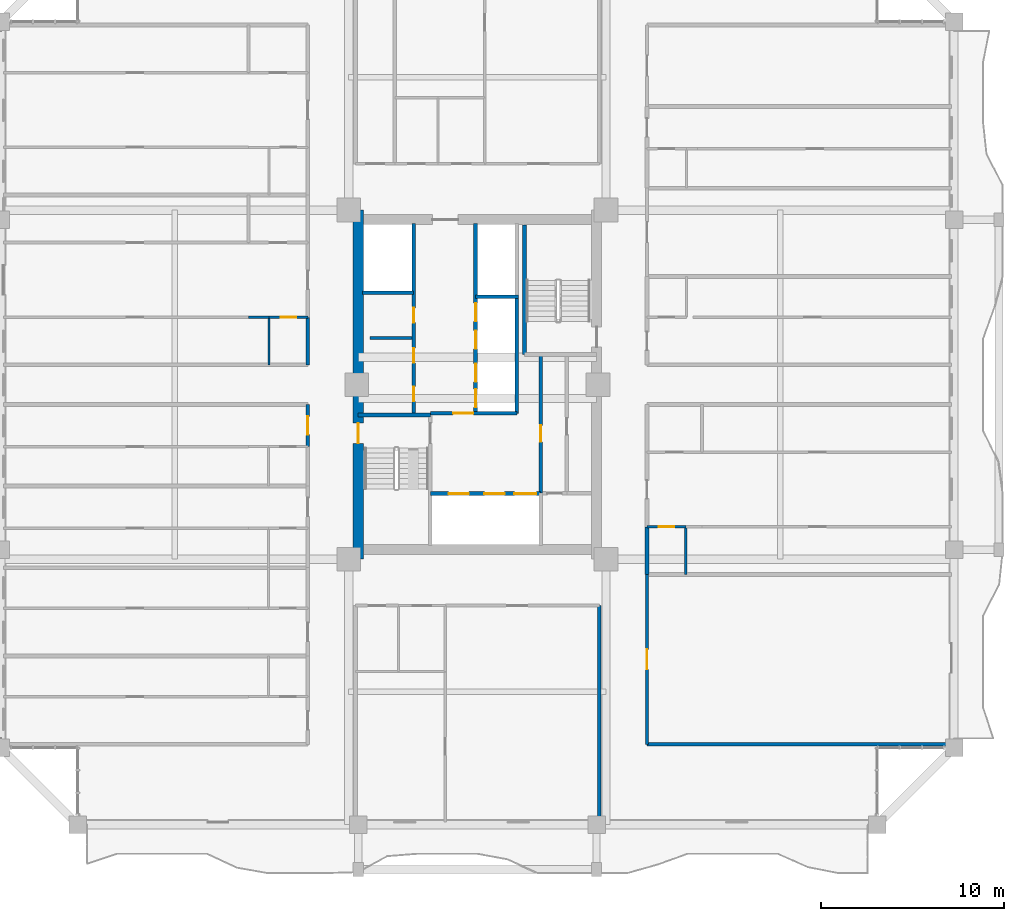
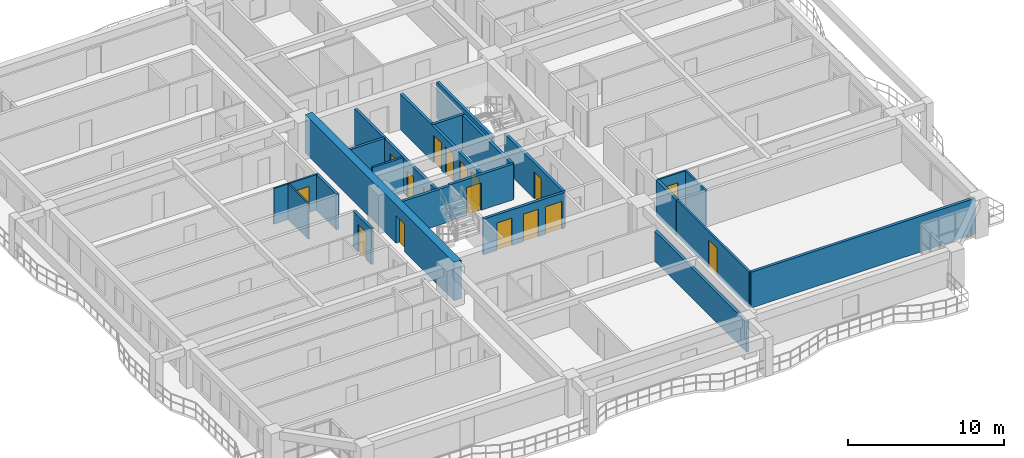
# One storey, part 15 of 24: 23 walls, 17 doors, 17 openings.
"""IFC4 building model written with IfcOpenShell, lengths in metres."""

from ifc_helpers import new_model, si_unit, direction, frame, frame_2d, origin, place, context, subcontext, project, spatial, rectangle, extrude, source, transform, mapped, material, layer, layer_set, type_object, element, fill, save


model = new_model("IFC4")

# Units and contexts
model_context = context("Model", 3, precision=1e-05, world=origin(), true_north=direction((0.0, 1.0)))
body_context = subcontext(model_context, "Body", "Model", "MODEL_VIEW")
ifc_project = project(units=[si_unit("LENGTHUNIT", "METRE"), si_unit("AREAUNIT", "SQUARE_METRE"), si_unit("VOLUMEUNIT", "CUBIC_METRE"), si_unit("PLANEANGLEUNIT", "RADIAN"), si_unit("MASSUNIT", "GRAM", prefix="KILO")], contexts=[model_context])

# Site, building, storey
site_placement = place(None, origin())
site = spatial("IfcSite", under=ifc_project, at=site_placement, CompositionType="ELEMENT")
building_placement = place(site_placement, origin())
building = spatial("IfcBuilding", under=site, at=building_placement, Name="Saelheon Loggia Tower", CompositionType="ELEMENT")
storey_placement = place(building_placement, frame((0.0, 0.0, 126.75)))
storey = spatial("IfcBuildingStorey", under=building, at=storey_placement, Name="L40", CompositionType="ELEMENT", Elevation=126.75)

# Wall, opening, door
ifc_material_1 = material(Name="Concrete C50/60", Category="concrete")
ifc_layer_1 = layer(ifc_material_1, 0.550048828125)
ifc_layer_set_1 = layer_set([ifc_layer_1], Name="Concrete C50/60")
wall_type_1 = type_object("IfcWallType", Name="Wall_CoreShear_550", PredefinedType="SHEAR", material=ifc_layer_set_1)
wall_1_placement = place(storey_placement, frame((31.5, 17.47998046875, 0.0), z_axis=(0.0, 0.0, 1.0), x_axis=(0.0, 1.0, 0.0)))
wall_1 = element("IfcWall", 1, at=wall_1_placement, inside=storey, type_object=wall_type_1, Name="L40 Core Shear Wall West", PredefinedType="SHEAR", context=body_context, shape_type="SweptSolid", body=[
    extrude(rectangle(XDim=19.0400390625, YDim=0.550048828125, at=frame_2d((9.52001953125, 0.0))), origin(), (0.0, 0.0, 1.0), 3.0),
])
opening_1_placement = place(wall_1_placement, frame((6.320068359375, 0.0, 0.0)))
opening_1 = element("IfcOpeningElement", 2, at=opening_1_placement, cuts=wall_1, Name="Opening D-FD2", PredefinedType="OPENING", context=body_context, shape_type="SweptSolid", body=[
    extrude(rectangle(XDim=1.10009765625, YDim=2.14990234375, at=frame_2d((0.550048828125, 1.074951171875))), frame((0.0, 0.287109375, 0.0), z_axis=(0.0, -1.0, 0.0), x_axis=(1.0, 0.0, 0.0)), (0.0, 0.0, 1.0), 0.573974609375),
])
ifc_material_2 = material(Name="Galvanised Steel Fire Door", Category="steel")
door_type_1 = type_object("IfcDoorType", Name="Door_Fire_FD60_1100", OperationType="NOTDEFINED", PredefinedType="DOOR", material=ifc_material_2)
shared_shape_1 = source(origin(), body_context, "Body", "SweptSolid", [
    extrude(rectangle(XDim=1.10009765625, YDim=2.14990234375, at=frame_2d((0.550048828125, 1.074951171875))), frame((0.0, 0.02490234375, 0.0), z_axis=(0.0, -1.0, 0.0), x_axis=(1.0, 0.0, 0.0)), (0.0, 0.0, 1.0), 0.050048828125),
])
door_1_placement = place(opening_1_placement, origin())
door_1 = element("IfcDoor", 3, at=door_1_placement, inside=storey, type_object=door_type_1, Name="L40 Stair ST1 Corridor Door", OperationType="SINGLE_SWING_LEFT", OverallHeight=2.14990234375, OverallWidth=1.10009765625, PredefinedType="DOOR", context=body_context, shape_type="MappedRepresentation", body=[
    mapped(shared_shape_1, transform((0.0, 0.0, 0.0), scale=1.0)),
])
fill(opening_1, door_1)

# Wall
ifc_material_3 = material(Name="Lightweight Autoclaved Aerated Concrete Block and Acoustic Gypsum", Category="concrete")
ifc_layer_2 = layer(ifc_material_3, 0.14990234375)
ifc_layer_set_2 = layer_set([ifc_layer_2], Name="Lightweight Autoclaved Aerated Concrete Block and Acoustic Gypsum")
wall_type_2 = type_object("IfcWallType", Name="Wall_Part_150", PredefinedType="PARTITIONING", material=ifc_layer_set_2)
wall_2_placement = place(storey_placement, frame((32.14990234375, 29.550048828125, 0.0), z_axis=(0.0, 0.0, 1.0), x_axis=(1.0, 0.0, 0.0)))
element("IfcWall", 4, at=wall_2_placement, inside=storey, type_object=wall_type_2, Name="L40 Freed Core Partition PL1", PredefinedType="PARTITIONING", context=body_context, shape_type="SweptSolid", body=[
    extrude(rectangle(XDim=2.27001953125, YDim=0.14990234375, at=frame_2d((1.135009765625, 0.0))), origin(), (0.0, 0.0, 1.0), 2.7900390625),
])

# Wall, opening, door
wall_3_placement = place(storey_placement, frame((47.25, 7.3798828125, 0.0), z_axis=(0.0, 0.0, 1.0), x_axis=(0.0, 1.0, 0.0)))
wall_3 = element("IfcWall", 5, at=wall_3_placement, inside=storey, type_object=wall_type_2, Name="L40 ES Partition V03", PredefinedType="PARTITIONING", context=body_context, shape_type="SweptSolid", body=[
    extrude(rectangle(XDim=9.27001953125, YDim=0.14990234375, at=frame_2d((4.635009765625, 0.0))), origin(), (0.0, 0.0, 1.0), 2.7900390625),
])
opening_2_placement = place(wall_3_placement, frame((4.0849609375, 0.0, 0.0)))
opening_2 = element("IfcOpeningElement", 6, at=opening_2_placement, cuts=wall_3, Name="Opening D-FD2", PredefinedType="OPENING", context=body_context, shape_type="SweptSolid", body=[
    extrude(rectangle(XDim=1.10009765625, YDim=2.14990234375, at=frame_2d((0.550048828125, 1.074951171875))), frame((0.0, 0.0869140625, 0.0), z_axis=(0.0, -1.0, 0.0), x_axis=(1.0, 0.0, 0.0)), (0.0, 0.0, 1.0), 0.173828125),
])
door_2_placement = place(opening_2_placement, origin())
door_2 = element("IfcDoor", 7, at=door_2_placement, inside=storey, type_object=door_type_1, Name="L40 Resident Seminar and Study Hall Door A", OperationType="SINGLE_SWING_LEFT", OverallHeight=2.14990234375, OverallWidth=1.10009765625, PredefinedType="DOOR", context=body_context, shape_type="MappedRepresentation", body=[
    mapped(shared_shape_1, transform((0.0, 0.0, 0.0), scale=1.0)),
])
fill(opening_2, door_2)

# Wall
ifc_material_4 = material(Name="Double Acoustic Stud and Fireboard Partition", Category="gypsum")
ifc_layer_3 = layer(ifc_material_4, 0.199951171875)
ifc_layer_set_3 = layer_set([ifc_layer_3], Name="Double Acoustic Stud and Fireboard Partition")
wall_type_3 = type_object("IfcWallType", Name="Wall_Party_200", PredefinedType="PARTITIONING", material=ifc_layer_set_3)
wall_4_placement = place(storey_placement, frame((44.64990234375, 14.949951171875, 0.0), z_axis=(0.0, 0.0, 1.0), x_axis=(0.0, -1.0, 0.0)))
element("IfcWall", 8, at=wall_4_placement, inside=storey, type_object=wall_type_3, Name="L40 S Partition U02", PredefinedType="PARTITIONING", context=body_context, shape_type="SweptSolid", body=[
    extrude(rectangle(XDim=11.800048828125, YDim=0.199951171875, at=frame_2d((5.89990234375, 0.0))), origin(), (0.0, 0.0, 1.0), 2.340087890625),
])

# Wall, opening, door
wall_5_placement = place(storey_placement, frame((28.75, 23.620361328125, 0.0), z_axis=(0.0, 0.0, 1.0), x_axis=(0.0, 1.0, 0.0)))
wall_5 = element("IfcWall", 9, at=wall_5_placement, inside=storey, type_object=wall_type_3, Name="L40 WS Partition V25", PredefinedType="PARTITIONING", context=body_context, shape_type="SweptSolid", body=[
    extrude(rectangle(XDim=2.299560546875, YDim=0.199951171875, at=frame_2d((1.14990234375, 0.0))), origin(), (0.0, 0.0, 1.0), 2.7900390625),
])
opening_3_placement = place(wall_5_placement, frame((0.64990234375, 0.0, 0.0)))
opening_3 = element("IfcOpeningElement", 10, at=opening_3_placement, cuts=wall_5, Name="Opening D-FD1", PredefinedType="OPENING", context=body_context, shape_type="SweptSolid", body=[
    extrude(rectangle(XDim=1.0, YDim=2.14990234375, at=frame_2d((0.5, 1.074951171875))), frame((0.0, 0.112060546875, 0.0), z_axis=(0.0, -1.0, 0.0), x_axis=(1.0, 0.0, 0.0)), (0.0, 0.0, 1.0), 0.223876953125),
])
ifc_material_5 = material(Name="Fire-Rated Engineered Timber Entrance Door", Category="wood")
door_type_2 = type_object("IfcDoorType", Name="Door_Flat_FD30S", OperationType="NOTDEFINED", PredefinedType="DOOR", material=ifc_material_5)
shared_shape_2 = source(origin(), body_context, "Body", "SweptSolid", [
    extrude(rectangle(XDim=1.0, YDim=2.14990234375, at=frame_2d((0.5, 1.074951171875))), frame((0.0, 0.02490234375, 0.0), z_axis=(0.0, -1.0, 0.0), x_axis=(1.0, 0.0, 0.0)), (0.0, 0.0, 1.0), 0.050048828125),
])
door_3_placement = place(opening_3_placement, origin())
door_3 = element("IfcDoor", 11, at=door_3_placement, inside=storey, type_object=door_type_2, Name="Unit U04 Entrance Door", OperationType="SINGLE_SWING_RIGHT", OverallHeight=2.14990234375, OverallWidth=1.0, PredefinedType="DOOR", context=body_context, shape_type="MappedRepresentation", body=[
    mapped(shared_shape_2, transform((0.0, 0.0, 0.0), scale=1.0)),
])
fill(opening_3, door_3)

# Walls
wall_6_placement = place(storey_placement, frame((28.75, 28.080078125, 0.0), z_axis=(0.0, 0.0, 1.0), x_axis=(0.0, 1.0, 0.0)))
element("IfcWall", 12, at=wall_6_placement, inside=storey, type_object=wall_type_3, Name="L40 WN Partition V03", PredefinedType="PARTITIONING", context=body_context, shape_type="SweptSolid", body=[
    extrude(rectangle(XDim=2.595458984375, YDim=0.199951171875, at=frame_2d((1.2978515625, 0.0))), origin(), (0.0, 0.0, 1.0), 2.7900390625),
])
wall_7_placement = place(storey_placement, frame((47.25, 7.3798828125, 0.0), z_axis=(0.0, 0.0, 1.0), x_axis=(1.0, 0.0, 0.0)))
element("IfcWall", 13, at=wall_7_placement, inside=storey, type_object=wall_type_3, Name="L40 ES Partition U01", PredefinedType="PARTITIONING", context=body_context, shape_type="SweptSolid", body=[
    extrude(rectangle(XDim=16.60009765625, YDim=0.199951171875, at=frame_2d((8.300048828125, 0.0))), origin(), (0.0, 0.0, 1.0), 2.7900390625),
])
wall_8_placement = place(storey_placement, frame((47.25, 16.64990234375, 0.0), z_axis=(0.0, 0.0, 1.0), x_axis=(0.0, 1.0, 0.0)))
element("IfcWall", 14, at=wall_8_placement, inside=storey, type_object=wall_type_3, Name="L40 ES Partition V05", PredefinedType="PARTITIONING", context=body_context, shape_type="SweptSolid", body=[
    extrude(rectangle(XDim=2.595703125, YDim=0.199951171875, at=frame_2d((1.2978515625, 0.0))), origin(), (0.0, 0.0, 1.0), 2.7900390625),
])

# Wall, opening, door
ifc_material_6 = material(Name="Concrete C40/50", Category="concrete")
ifc_layer_4 = layer(ifc_material_6, 0.199951171875)
ifc_layer_set_4 = layer_set([ifc_layer_4], Name="Concrete C40/50")
wall_type_4 = type_object("IfcWallType", Name="Wall_Shaft_200", PredefinedType="PARTITIONING", material=ifc_layer_set_4)
wall_9_placement = place(storey_placement, frame((41.449951171875, 21.080078125, 0.0), z_axis=(0.0, 0.0, 1.0), x_axis=(0.0, 1.0, 0.0)))
wall_9 = element("IfcWall", 15, at=wall_9_placement, inside=storey, type_object=wall_type_4, Name="CW-INT-L40-BOH-W1", PredefinedType="PARTITIONING", context=body_context, shape_type="SweptSolid", body=[
    extrude(rectangle(XDim=7.52001953125, YDim=0.199951171875, at=frame_2d((3.760009765625, 0.0))), origin(), (0.0, 0.0, 1.0), 2.7900390625),
])
opening_4_placement = place(wall_9_placement, frame((2.800048828125, 0.0, 0.0)))
opening_4 = element("IfcOpeningElement", 16, at=opening_4_placement, cuts=wall_9, Name="Opening D-RS1", PredefinedType="OPENING", context=body_context, shape_type="SweptSolid", body=[
    extrude(rectangle(XDim=0.89990234375, YDim=2.10009765625, at=frame_2d((0.449951171875, 1.050048828125))), frame((0.0, 0.112060546875, 0.0), z_axis=(0.0, -1.0, 0.0), x_axis=(1.0, 0.0, 0.0)), (0.0, 0.0, 1.0), 0.223876953125),
])
ifc_material_7 = material(Name="Galvanised Steel Riser Access Door", Category="steel")
door_type_3 = type_object("IfcDoorType", Name="Door_Riser_FD60", OperationType="NOTDEFINED", PredefinedType="DOOR", material=ifc_material_7)
shared_shape_3 = source(origin(), body_context, "Body", "SweptSolid", [
    extrude(rectangle(XDim=0.89990234375, YDim=2.10009765625, at=frame_2d((0.449951171875, 1.050048828125))), frame((0.0, 0.02490234375, 0.0), z_axis=(0.0, -1.0, 0.0), x_axis=(1.0, 0.0, 0.0)), (0.0, 0.0, 1.0), 0.050048828125),
])
door_4_placement = place(opening_4_placement, origin())
door_4 = element("IfcDoor", 17, at=door_4_placement, inside=storey, type_object=door_type_3, Name="L40 Service Store Door", OperationType="SINGLE_SWING_RIGHT", OverallHeight=2.10009765625, OverallWidth=0.89990234375, PredefinedType="DOOR", context=body_context, shape_type="MappedRepresentation", body=[
    mapped(shared_shape_3, transform((0.0, 0.0, 0.0), scale=1.0)),
])
fill(opening_4, door_4)

# Wall
wall_10_placement = place(storey_placement, frame((40.14990234375, 25.43994140625, 0.0), z_axis=(0.0, 0.0, 1.0), x_axis=(0.0, 1.0, 0.0)))
element("IfcWall", 18, at=wall_10_placement, inside=storey, type_object=wall_type_4, Name="L40 Core Service Passage West Wall", PredefinedType="PARTITIONING", context=body_context, shape_type="SweptSolid", body=[
    extrude(rectangle(XDim=6.360107421875, YDim=0.199951171875, at=frame_2d((3.18017578125, 0.0))), origin(), (0.0, 0.0, 1.0), 2.7900390625),
])

# Wall, openings, doors
wall_11_placement = place(storey_placement, frame((35.429931640625, 21.06005859375, 0.0), z_axis=(0.0, 0.0, 1.0), x_axis=(1.0, 0.0, 0.0)))
wall_11 = element("IfcWall", 19, at=wall_11_placement, inside=storey, type_object=wall_type_4, Name="L40 Firefighting Lift Shaft Front Wall", PredefinedType="PARTITIONING", context=body_context, shape_type="SweptSolid", body=[
    extrude(rectangle(XDim=6.02001953125, YDim=0.199951171875, at=frame_2d((3.010009765625, 0.0))), origin(), (0.0, 0.0, 1.0), 2.7900390625),
])
opening_5_placement = place(wall_11_placement, frame((1.0, 0.0, 0.0)))
opening_5 = element("IfcOpeningElement", 20, at=opening_5_placement, cuts=wall_11, Name="Opening LD2", PredefinedType="OPENING", context=body_context, shape_type="SweptSolid", body=[
    extrude(rectangle(XDim=1.10009765625, YDim=2.14990234375, at=frame_2d((0.550048828125, 1.074951171875))), frame((0.0, 0.112060546875, 0.0), z_axis=(0.0, -1.0, 0.0), x_axis=(1.0, 0.0, 0.0)), (0.0, 0.0, 1.0), 0.223876953125),
])
opening_6_placement = place(wall_11_placement, frame((2.949951171875, 0.0, 0.0)))
opening_6 = element("IfcOpeningElement", 21, at=opening_6_placement, cuts=wall_11, Name="Opening LD2", PredefinedType="OPENING", context=body_context, shape_type="SweptSolid", body=[
    extrude(rectangle(XDim=1.10009765625, YDim=2.14990234375, at=frame_2d((0.550048828125, 1.074951171875))), frame((0.0, 0.112060546875, 0.0), z_axis=(0.0, -1.0, 0.0), x_axis=(1.0, 0.0, 0.0)), (0.0, 0.0, 1.0), 0.223876953125),
])
opening_7_placement = place(wall_11_placement, frame((4.580078125, 0.0, 0.0)))
opening_7 = element("IfcOpeningElement", 22, at=opening_7_placement, cuts=wall_11, Name="Opening LD3", PredefinedType="OPENING", context=body_context, shape_type="SweptSolid", body=[
    extrude(rectangle(XDim=1.199951171875, YDim=2.14990234375, at=frame_2d((0.60009765625, 1.074951171875))), frame((0.0, 0.112060546875, 0.0), z_axis=(0.0, -1.0, 0.0), x_axis=(1.0, 0.0, 0.0)), (0.0, 0.0, 1.0), 0.223876953125),
])
ifc_material_8 = material(Name="Firefighting Stainless Steel 316 Landing Door", Category="steel")
door_type_4 = type_object("IfcDoorType", Name="Door_Lift_LD2", OperationType="DOUBLE_DOOR_SLIDING", PredefinedType="DOOR", material=ifc_material_8)
door_5_placement = place(opening_5_placement, origin())
door_5 = element("IfcDoor", 23, at=door_5_placement, inside=storey, type_object=door_type_4, Name="L40 FF1 Landing Door", OperationType="DOUBLE_DOOR_SLIDING", OverallHeight=2.14990234375, OverallWidth=1.10009765625, PredefinedType="DOOR", context=body_context, shape_type="MappedRepresentation", body=[
    mapped(shared_shape_1, transform((0.0, 0.0, 0.0), scale=1.0)),
])
fill(opening_5, door_5)
door_6_placement = place(opening_6_placement, origin())
door_6 = element("IfcDoor", 24, at=door_6_placement, inside=storey, type_object=door_type_4, Name="L40 FF2 Landing Door", OperationType="DOUBLE_DOOR_SLIDING", OverallHeight=2.14990234375, OverallWidth=1.10009765625, PredefinedType="DOOR", context=body_context, shape_type="MappedRepresentation", body=[
    mapped(shared_shape_1, transform((0.0, 0.0, 0.0), scale=1.0)),
])
fill(opening_6, door_6)
ifc_material_9 = material(Name="Stretcher Lift Stainless Steel 304 Landing Door", Category="steel")
door_type_5 = type_object("IfcDoorType", Name="Door_Lift_LD3", OperationType="DOUBLE_DOOR_SLIDING", PredefinedType="DOOR", material=ifc_material_9)
shared_shape_4 = source(origin(), body_context, "Body", "SweptSolid", [
    extrude(rectangle(XDim=1.199951171875, YDim=2.14990234375, at=frame_2d((0.60009765625, 1.074951171875))), frame((0.0, 0.02490234375, 0.0), z_axis=(0.0, -1.0, 0.0), x_axis=(1.0, 0.0, 0.0)), (0.0, 0.0, 1.0), 0.050048828125),
])
door_7_placement = place(opening_7_placement, origin())
door_7 = element("IfcDoor", 25, at=door_7_placement, inside=storey, type_object=door_type_5, Name="L40 SV1 Landing Door", OperationType="DOUBLE_DOOR_SLIDING", OverallHeight=2.14990234375, OverallWidth=1.199951171875, PredefinedType="DOOR", context=body_context, shape_type="MappedRepresentation", body=[
    mapped(shared_shape_4, transform((0.0, 0.0, 0.0), scale=1.0)),
])
fill(opening_7, door_7)

# Wall, opening, door
wall_12_placement = place(storey_placement, frame((35.429931640625, 25.43994140625, 0.0), z_axis=(0.0, 0.0, 1.0), x_axis=(1.0, 0.0, 0.0)))
wall_12 = element("IfcWall", 26, at=wall_12_placement, inside=storey, type_object=wall_type_4, Name="L40 Firefighting Lobby Compartment Wall", PredefinedType="PARTITIONING", context=body_context, shape_type="SweptSolid", body=[
    extrude(rectangle(XDim=4.719970703125, YDim=0.199951171875, at=frame_2d((2.35986328125, 0.0))), origin(), (0.0, 0.0, 1.0), 2.7900390625),
])
opening_8_placement = place(wall_12_placement, frame((1.25, 0.0, 0.0)))
opening_8 = element("IfcOpeningElement", 27, at=opening_8_placement, cuts=wall_12, Name="Opening D-FD2", PredefinedType="OPENING", context=body_context, shape_type="SweptSolid", body=[
    extrude(rectangle(XDim=1.10009765625, YDim=2.14990234375, at=frame_2d((0.550048828125, 1.074951171875))), frame((0.0, 0.112060546875, 0.0), z_axis=(0.0, -1.0, 0.0), x_axis=(1.0, 0.0, 0.0)), (0.0, 0.0, 1.0), 0.223876953125),
])
door_8_placement = place(opening_8_placement, origin())
door_8 = element("IfcDoor", 28, at=door_8_placement, inside=storey, type_object=door_type_1, Name="L40 Firefighting Lobby Door", OperationType="SINGLE_SWING_LEFT", OverallHeight=2.14990234375, OverallWidth=1.10009765625, PredefinedType="DOOR", context=body_context, shape_type="MappedRepresentation", body=[
    mapped(shared_shape_1, transform((0.0, 0.0, 0.0), scale=1.0)),
])
fill(opening_8, door_8)

# Wall, openings, doors
wall_13_placement = place(storey_placement, frame((34.52001953125, 25.43994140625, 0.0), z_axis=(0.0, 0.0, 1.0), x_axis=(0.0, 1.0, 0.0)))
wall_13 = element("IfcWall", 29, at=wall_13_placement, inside=storey, type_object=wall_type_4, Name="L40 West Passenger Lift Bank Wall", PredefinedType="PARTITIONING", context=body_context, shape_type="SweptSolid", body=[
    extrude(rectangle(XDim=10.340087890625, YDim=0.199951171875, at=frame_2d((5.169921875, 0.0))), origin(), (0.0, 0.0, 1.0), 2.7900390625),
])
opening_9_placement = place(wall_13_placement, frame((0.64990234375, 0.0, 0.0)))
opening_9 = element("IfcOpeningElement", 30, at=opening_9_placement, cuts=wall_13, Name="Opening D-ST1", PredefinedType="OPENING", context=body_context, shape_type="SweptSolid", body=[
    extrude(rectangle(XDim=0.800048828125, YDim=2.050048828125, at=frame_2d((0.39990234375, 1.02490234375))), frame((0.0, 0.112060546875, 0.0), z_axis=(0.0, -1.0, 0.0), x_axis=(1.0, 0.0, 0.0)), (0.0, 0.0, 1.0), 0.223876953125),
])
opening_10_placement = place(wall_13_placement, frame((2.75, 0.0, 0.0)))
opening_10 = element("IfcOpeningElement", 31, at=opening_10_placement, cuts=wall_13, Name="Opening D-ST1", PredefinedType="OPENING", context=body_context, shape_type="SweptSolid", body=[
    extrude(rectangle(XDim=0.800048828125, YDim=2.050048828125, at=frame_2d((0.39990234375, 1.02490234375))), frame((0.0, 0.112060546875, 0.0), z_axis=(0.0, -1.0, 0.0), x_axis=(1.0, 0.0, 0.0)), (0.0, 0.0, 1.0), 0.223876953125),
])
opening_11_placement = place(wall_13_placement, frame((4.949951171875, 0.0, 0.0)))
opening_11 = element("IfcOpeningElement", 32, at=opening_11_placement, cuts=wall_13, Name="Opening D-ST1", PredefinedType="OPENING", context=body_context, shape_type="SweptSolid", body=[
    extrude(rectangle(XDim=0.800048828125, YDim=2.050048828125, at=frame_2d((0.39990234375, 1.02490234375))), frame((0.0, 0.112060546875, 0.0), z_axis=(0.0, -1.0, 0.0), x_axis=(1.0, 0.0, 0.0)), (0.0, 0.0, 1.0), 0.223876953125),
])
ifc_material_10 = material(Name="Powder-Coated Steel Store Door", Category="steel")
door_type_6 = type_object("IfcDoorType", Name="Door_Store_800", OperationType="NOTDEFINED", PredefinedType="DOOR", material=ifc_material_10)
shared_shape_5 = source(origin(), body_context, "Body", "SweptSolid", [
    extrude(rectangle(XDim=0.800048828125, YDim=2.050048828125, at=frame_2d((0.39990234375, 1.02490234375))), frame((0.0, 0.02490234375, 0.0), z_axis=(0.0, -1.0, 0.0), x_axis=(1.0, 0.0, 0.0)), (0.0, 0.0, 1.0), 0.050048828125),
])
door_9_placement = place(opening_9_placement, origin())
door_9 = element("IfcDoor", 33, at=door_9_placement, inside=storey, type_object=door_type_6, Name="L40 Telecom Store Door", OperationType="SINGLE_SWING_LEFT", OverallHeight=2.050048828125, OverallWidth=0.800048828125, PredefinedType="DOOR", context=body_context, shape_type="MappedRepresentation", body=[
    mapped(shared_shape_5, transform((0.0, 0.0, 0.0), scale=1.0)),
])
fill(opening_9, door_9)
door_10_placement = place(opening_10_placement, origin())
door_10 = element("IfcDoor", 34, at=door_10_placement, inside=storey, type_object=door_type_6, Name="L40 Linen Closet Door", OperationType="SINGLE_SWING_RIGHT", OverallHeight=2.050048828125, OverallWidth=0.800048828125, PredefinedType="DOOR", context=body_context, shape_type="MappedRepresentation", body=[
    mapped(shared_shape_5, transform((0.0, 0.0, 0.0), scale=1.0)),
])
fill(opening_10, door_10)
door_11_placement = place(opening_11_placement, origin())
door_11 = element("IfcDoor", 35, at=door_11_placement, inside=storey, type_object=door_type_6, Name="L40 Metering Store Door", OperationType="SINGLE_SWING_LEFT", OverallHeight=2.050048828125, OverallWidth=0.800048828125, PredefinedType="DOOR", context=body_context, shape_type="MappedRepresentation", body=[
    mapped(shared_shape_5, transform((0.0, 0.0, 0.0), scale=1.0)),
])
fill(opening_11, door_11)

# Wall
wall_14_placement = place(storey_placement, frame((31.719970703125, 32.02001953125, 0.0), z_axis=(0.0, 0.0, 1.0), x_axis=(1.0, 0.0, 0.0)))
element("IfcWall", 36, at=wall_14_placement, inside=storey, type_object=wall_type_4, Name="L40 West High-Rise Shaft Divider", PredefinedType="PARTITIONING", context=body_context, shape_type="SweptSolid", body=[
    extrude(rectangle(XDim=2.800048828125, YDim=0.199951171875, at=frame_2d((1.39990234375, 0.0))), origin(), (0.0, 0.0, 1.0), 2.7900390625),
])

# Wall, openings, doors
wall_15_placement = place(storey_placement, frame((37.89990234375, 25.43994140625, 0.0), z_axis=(0.0, 0.0, 1.0), x_axis=(0.0, 1.0, 0.0)))
wall_15 = element("IfcWall", 37, at=wall_15_placement, inside=storey, type_object=wall_type_4, Name="L40 East Passenger Lift Bank Wall", PredefinedType="PARTITIONING", context=body_context, shape_type="SweptSolid", body=[
    extrude(rectangle(XDim=10.340087890625, YDim=0.199951171875, at=frame_2d((5.169921875, 0.0))), origin(), (0.0, 0.0, 1.0), 2.7900390625),
])
opening_12_placement = place(wall_15_placement, frame((0.320068359375, 0.0, 0.0)))
opening_12 = element("IfcOpeningElement", 38, at=opening_12_placement, cuts=wall_15, Name="Opening LD1", PredefinedType="OPENING", context=body_context, shape_type="SweptSolid", body=[
    extrude(rectangle(XDim=1.0, YDim=2.14990234375, at=frame_2d((0.5, 1.074951171875))), frame((0.0, 0.112060546875, 0.0), z_axis=(0.0, -1.0, 0.0), x_axis=(1.0, 0.0, 0.0)), (0.0, 0.0, 1.0), 0.223876953125),
])
opening_13_placement = place(wall_15_placement, frame((1.7099609375, 0.0, 0.0)))
opening_13 = element("IfcOpeningElement", 39, at=opening_13_placement, cuts=wall_15, Name="Opening LD1", PredefinedType="OPENING", context=body_context, shape_type="SweptSolid", body=[
    extrude(rectangle(XDim=1.0, YDim=2.14990234375, at=frame_2d((0.5, 1.074951171875))), frame((0.0, 0.112060546875, 0.0), z_axis=(0.0, -1.0, 0.0), x_axis=(1.0, 0.0, 0.0)), (0.0, 0.0, 1.0), 0.223876953125),
])
opening_14_placement = place(wall_15_placement, frame((3.510009765625, 0.0, 0.0)))
opening_14 = element("IfcOpeningElement", 40, at=opening_14_placement, cuts=wall_15, Name="Opening LD1", PredefinedType="OPENING", context=body_context, shape_type="SweptSolid", body=[
    extrude(rectangle(XDim=1.0, YDim=2.14990234375, at=frame_2d((0.5, 1.074951171875))), frame((0.0, 0.112060546875, 0.0), z_axis=(0.0, -1.0, 0.0), x_axis=(1.0, 0.0, 0.0)), (0.0, 0.0, 1.0), 0.223876953125),
])
opening_15_placement = place(wall_15_placement, frame((5.010009765625, 0.0, 0.0)))
opening_15 = element("IfcOpeningElement", 41, at=opening_15_placement, cuts=wall_15, Name="Opening LD1", PredefinedType="OPENING", context=body_context, shape_type="SweptSolid", body=[
    extrude(rectangle(XDim=1.0, YDim=2.14990234375, at=frame_2d((0.5, 1.074951171875))), frame((0.0, 0.112060546875, 0.0), z_axis=(0.0, -1.0, 0.0), x_axis=(1.0, 0.0, 0.0)), (0.0, 0.0, 1.0), 0.223876953125),
])
ifc_material_11 = material(Name="Brushed Stainless Steel 304 Landing Door", Category="steel")
door_type_7 = type_object("IfcDoorType", Name="Door_Lift_LD1", OperationType="DOUBLE_DOOR_SLIDING", PredefinedType="DOOR", material=ifc_material_11)
door_12_placement = place(opening_12_placement, origin())
door_12 = element("IfcDoor", 42, at=door_12_placement, inside=storey, type_object=door_type_7, Name="L40 PM1 Landing Door", OperationType="DOUBLE_DOOR_SLIDING", OverallHeight=2.14990234375, OverallWidth=1.0, PredefinedType="DOOR", context=body_context, shape_type="MappedRepresentation", body=[
    mapped(shared_shape_2, transform((0.0, 0.0, 0.0), scale=1.0)),
])
fill(opening_12, door_12)
door_13_placement = place(opening_13_placement, origin())
door_13 = element("IfcDoor", 43, at=door_13_placement, inside=storey, type_object=door_type_7, Name="L40 PM2 Landing Door", OperationType="DOUBLE_DOOR_SLIDING", OverallHeight=2.14990234375, OverallWidth=1.0, PredefinedType="DOOR", context=body_context, shape_type="MappedRepresentation", body=[
    mapped(shared_shape_2, transform((0.0, 0.0, 0.0), scale=1.0)),
])
fill(opening_13, door_13)
door_14_placement = place(opening_14_placement, origin())
door_14 = element("IfcDoor", 44, at=door_14_placement, inside=storey, type_object=door_type_7, Name="L40 PM3 Landing Door", OperationType="DOUBLE_DOOR_SLIDING", OverallHeight=2.14990234375, OverallWidth=1.0, PredefinedType="DOOR", context=body_context, shape_type="MappedRepresentation", body=[
    mapped(shared_shape_2, transform((0.0, 0.0, 0.0), scale=1.0)),
])
fill(opening_14, door_14)
door_15_placement = place(opening_15_placement, origin())
door_15 = element("IfcDoor", 45, at=door_15_placement, inside=storey, type_object=door_type_7, Name="L40 PM4 Landing Door", OperationType="DOUBLE_DOOR_SLIDING", OverallHeight=2.14990234375, OverallWidth=1.0, PredefinedType="DOOR", context=body_context, shape_type="MappedRepresentation", body=[
    mapped(shared_shape_2, transform((0.0, 0.0, 0.0), scale=1.0)),
])
fill(opening_15, door_15)

# Walls
wall_16_placement = place(storey_placement, frame((37.89990234375, 31.800048828125, 0.0), z_axis=(0.0, 0.0, 1.0), x_axis=(1.0, 0.0, 0.0)))
element("IfcWall", 46, at=wall_16_placement, inside=storey, type_object=wall_type_4, Name="L40 East High-Rise Shaft Divider", PredefinedType="PARTITIONING", context=body_context, shape_type="SweptSolid", body=[
    extrude(rectangle(XDim=2.35009765625, YDim=0.199951171875, at=frame_2d((1.175048828125, 0.0))), origin(), (0.0, 0.0, 1.0), 2.7900390625),
])
ifc_material_12 = material(Name="Concrete C45/55", Category="concrete")
ifc_layer_5 = layer(ifc_material_12, 0.199951171875)
ifc_layer_set_5 = layer_set([ifc_layer_5], Name="Concrete C45/55")
wall_type_5 = type_object("IfcWallType", Name="Wall_StairShaft_RC200", PredefinedType="SOLIDWALL", material=ifc_layer_set_5)
wall_17_placement = place(storey_placement, frame((31.5, 25.35009765625, 0.0), z_axis=(0.0, 0.0, 1.0), x_axis=(1.0, 0.0, 0.0)))
element("IfcWall", 47, at=wall_17_placement, inside=storey, type_object=wall_type_5, Name="L40 Stair ST1 North Wall", PredefinedType="SOLIDWALL", context=body_context, shape_type="SweptSolid", body=[
    extrude(rectangle(XDim=3.929931640625, YDim=0.199951171875, at=frame_2d((1.96484375, 0.0))), origin(), (0.0, 0.0, 1.0), 2.7900390625),
])
wall_18_placement = place(storey_placement, frame((40.570068359375, 28.64990234375, 0.0), z_axis=(0.0, 0.0, 1.0), x_axis=(0.0, 1.0, 0.0)))
element("IfcWall", 48, at=wall_18_placement, inside=storey, type_object=wall_type_5, Name="L40 Stair ST2 Shaft Wall", PredefinedType="SOLIDWALL", context=body_context, shape_type="SweptSolid", body=[
    extrude(rectangle(XDim=7.050048828125, YDim=0.199951171875, at=frame_2d((3.52490234375, 0.0))), origin(), (0.0, 0.0, 1.0), 2.7900390625),
])
ifc_material_13 = material(Name="Moisture-Resistant Cement Board Partition", Category="gypsum")
ifc_layer_6 = layer(ifc_material_13, 0.1201171875)
ifc_layer_set_6 = layer_set([ifc_layer_6], Name="Moisture-Resistant Cement Board Partition")
wall_type_6 = type_object("IfcWallType", Name="Wall_WetPart_120", PredefinedType="PARTITIONING", material=ifc_layer_set_6)
wall_19_placement = place(storey_placement, frame((26.6298828125, 28.080078125, 0.0), z_axis=(0.0, 0.0, 1.0), x_axis=(0.0, 1.0, 0.0)))
element("IfcWall", 49, at=wall_19_placement, inside=storey, type_object=wall_type_6, Name="L40 WN Partition V06", PredefinedType="PARTITIONING", context=body_context, shape_type="SweptSolid", body=[
    extrude(rectangle(XDim=2.595458984375, YDim=0.1201171875, at=frame_2d((1.2978515625, 0.0))), origin(), (0.0, 0.0, 1.0), 2.7900390625),
])

# Wall, opening, door
wall_20_placement = place(storey_placement, frame((28.75, 30.675537109375, 0.0), z_axis=(0.0, 0.0, 1.0), x_axis=(-1.0, 0.0, 0.0)))
wall_20 = element("IfcWall", 50, at=wall_20_placement, inside=storey, type_object=wall_type_6, Name="L40 WN Partition U08", PredefinedType="PARTITIONING", context=body_context, shape_type="SweptSolid", body=[
    extrude(rectangle(XDim=2.1201171875, YDim=0.1201171875, at=frame_2d((1.06005859375, 0.0))), origin(), (0.0, 0.0, 1.0), 2.7900390625),
])
opening_16_placement = place(wall_20_placement, frame((0.635009765625, 0.0, 0.0)))
opening_16 = element("IfcOpeningElement", 51, at=opening_16_placement, cuts=wall_20, Name="Opening D-BT1", PredefinedType="OPENING", context=body_context, shape_type="SweptSolid", body=[
    extrude(rectangle(XDim=0.85009765625, YDim=2.050048828125, at=frame_2d((0.425048828125, 1.02490234375))), frame((0.0, 0.072021484375, 0.0), z_axis=(0.0, -1.0, 0.0), x_axis=(1.0, 0.0, 0.0)), (0.0, 0.0, 1.0), 0.14404296875),
])
ifc_material_14 = material(Name="Moisture-Resistant Laminate Timber Door", Category="wood")
door_type_8 = type_object("IfcDoorType", Name="Door_Bath_850", OperationType="NOTDEFINED", PredefinedType="DOOR", material=ifc_material_14)
shared_shape_6 = source(origin(), body_context, "Body", "SweptSolid", [
    extrude(rectangle(XDim=0.85009765625, YDim=2.050048828125, at=frame_2d((0.425048828125, 1.02490234375))), frame((0.0, 0.02490234375, 0.0), z_axis=(0.0, -1.0, 0.0), x_axis=(1.0, 0.0, 0.0)), (0.0, 0.0, 1.0), 0.050048828125),
])
door_16_placement = place(opening_16_placement, origin())
door_16 = element("IfcDoor", 52, at=door_16_placement, inside=storey, type_object=door_type_8, Name="Unit U05 Bathroom Door", OperationType="SINGLE_SWING_RIGHT", OverallHeight=2.050048828125, OverallWidth=0.85009765625, PredefinedType="DOOR", context=body_context, shape_type="MappedRepresentation", body=[
    mapped(shared_shape_6, transform((0.0, 0.0, 0.0), scale=1.0)),
])
fill(opening_16, door_16)

# Walls
wall_21_placement = place(storey_placement, frame((26.6298828125, 30.675537109375, 0.0), z_axis=(0.0, 0.0, 1.0), x_axis=(-1.0, 0.0, 0.0)))
element("IfcWall", 53, at=wall_21_placement, inside=storey, type_object=wall_type_6, Name="L40 WN Partition U09", PredefinedType="PARTITIONING", context=body_context, shape_type="SweptSolid", body=[
    extrude(rectangle(XDim=1.119873046875, YDim=0.1201171875, at=frame_2d((0.56005859375, 0.0))), origin(), (0.0, 0.0, 1.0), 2.7900390625),
])
wall_22_placement = place(storey_placement, frame((49.3701171875, 16.64990234375, 0.0), z_axis=(0.0, 0.0, 1.0), x_axis=(0.0, 1.0, 0.0)))
element("IfcWall", 54, at=wall_22_placement, inside=storey, type_object=wall_type_6, Name="L40 ES Partition V08", PredefinedType="PARTITIONING", context=body_context, shape_type="SweptSolid", body=[
    extrude(rectangle(XDim=2.595703125, YDim=0.1201171875, at=frame_2d((1.2978515625, 0.0))), origin(), (0.0, 0.0, 1.0), 2.7900390625),
])

# Wall, opening, door
wall_23_placement = place(storey_placement, frame((47.25, 19.24560546875, 0.0), z_axis=(0.0, 0.0, 1.0), x_axis=(1.0, 0.0, 0.0)))
wall_23 = element("IfcWall", 55, at=wall_23_placement, inside=storey, type_object=wall_type_6, Name="L40 ES Partition U10", PredefinedType="PARTITIONING", context=body_context, shape_type="SweptSolid", body=[
    extrude(rectangle(XDim=2.1201171875, YDim=0.1201171875, at=frame_2d((1.06005859375, 0.0))), origin(), (0.0, 0.0, 1.0), 2.7900390625),
])
opening_17_placement = place(wall_23_placement, frame((0.635009765625, 0.0, 0.0)))
opening_17 = element("IfcOpeningElement", 56, at=opening_17_placement, cuts=wall_23, Name="Opening D-BT1", PredefinedType="OPENING", context=body_context, shape_type="SweptSolid", body=[
    extrude(rectangle(XDim=0.85009765625, YDim=2.050048828125, at=frame_2d((0.425048828125, 1.02490234375))), frame((0.0, 0.072021484375, 0.0), z_axis=(0.0, -1.0, 0.0), x_axis=(1.0, 0.0, 0.0)), (0.0, 0.0, 1.0), 0.14404296875),
])
door_17_placement = place(opening_17_placement, origin())
door_17 = element("IfcDoor", 57, at=door_17_placement, inside=storey, type_object=door_type_8, Name="Unit U07 Bathroom Door", OperationType="SINGLE_SWING_LEFT", OverallHeight=2.050048828125, OverallWidth=0.85009765625, PredefinedType="DOOR", context=body_context, shape_type="MappedRepresentation", body=[
    mapped(shared_shape_6, transform((0.0, 0.0, 0.0), scale=1.0)),
])
fill(opening_17, door_17)

save(model, "model.ifc")
